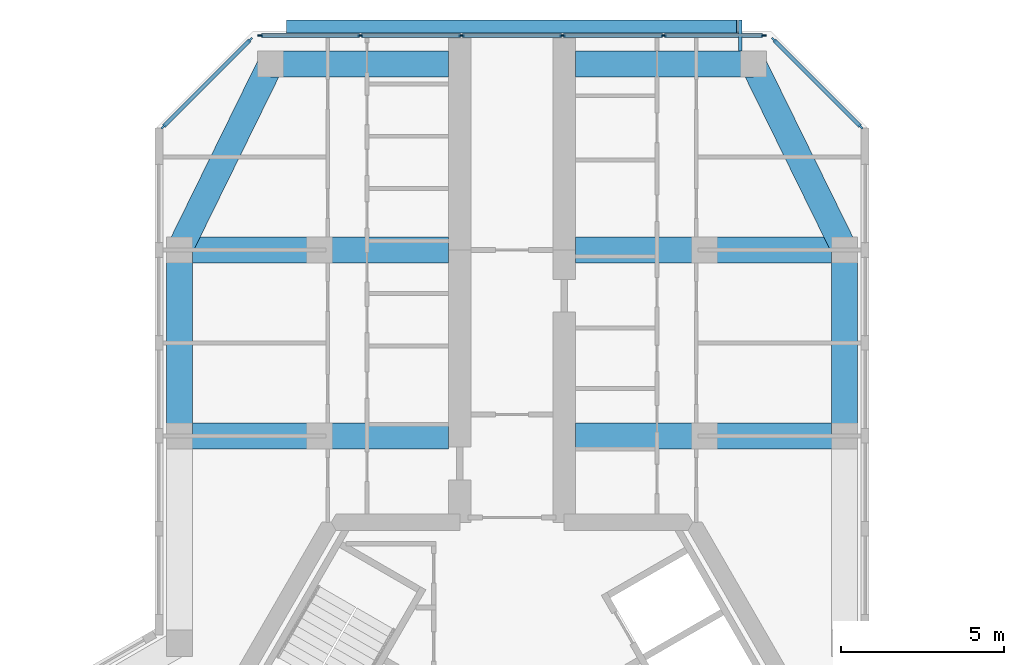
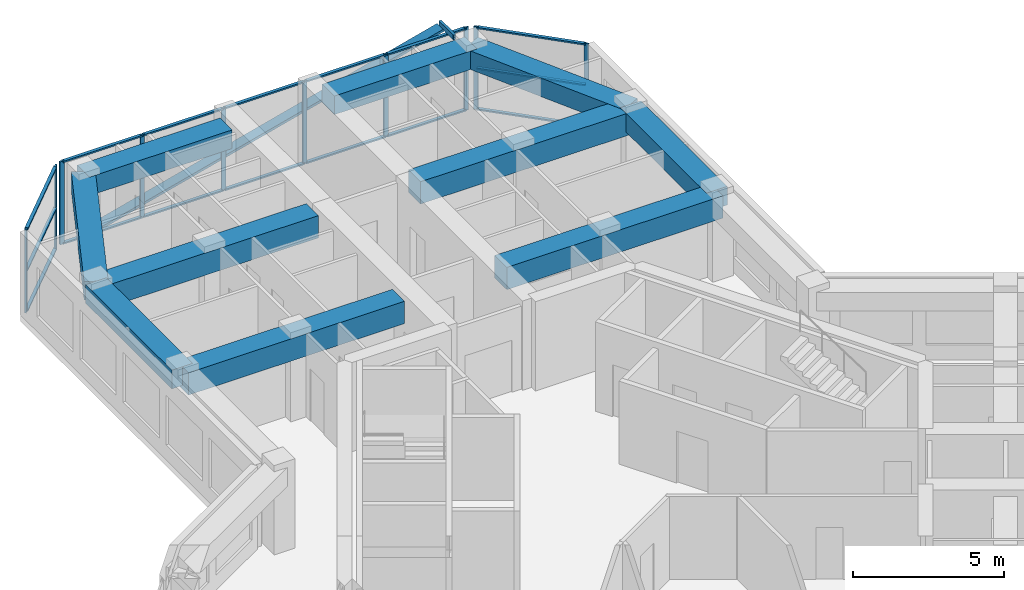
# One storey, part 5 of 14: 28 members, 10 beams, 3 elements without a shape of their own.
"""IFC4 building model written with IfcOpenShell, lengths in metres."""

from ifc_helpers import new_model, si_unit, direction, frame, origin, origin_2d, place, context, subcontext, project, spatial, rectangle, hollow_rectangle, extrude, material, material_profile, profile_set, type_object, element, aggregate, save


model = new_model("IFC4")

# Units and contexts
model_context = context("Model", 3, precision=1e-05, world=origin(), true_north=direction((0.0, 1.0)))
body_context = subcontext(model_context, "Body", "Model", "MODEL_VIEW")
ifc_project = project(units=[si_unit("LENGTHUNIT", "METRE"), si_unit("AREAUNIT", "SQUARE_METRE"), si_unit("VOLUMEUNIT", "CUBIC_METRE"), si_unit("PLANEANGLEUNIT", "RADIAN"), si_unit("MASSUNIT", "GRAM", prefix="KILO")], contexts=[model_context])

# Site, building, storey
site_placement = place(None, origin())
site = spatial("IfcSite", under=ifc_project, at=site_placement, CompositionType="ELEMENT")
building_placement = place(site_placement, origin())
building = spatial("IfcBuilding", under=site, at=building_placement, Name="Kosmar Iwan School Tower", CompositionType="ELEMENT")
storey_placement = place(building_placement, frame((0.0, 0.0, 289.0)))
storey = spatial("IfcBuildingStorey", under=building, at=storey_placement, Name="L73", CompositionType="ELEMENT", Elevation=289.0)

# Members
ifc_material_1 = material(Name="Black anodised aluminium", Category="aluminium")
ifc_material_profile_1 = material_profile(ifc_material_1, rectangle(XDim=0.10009765625, YDim=0.39990234375, at=origin_2d()), Name="FIN 100x400")
ifc_profile_set_1 = profile_set([ifc_material_profile_1], Name="Black anodised aluminium")
member_type_1 = type_object("IfcMemberType", Name="Diagonal fin 100x400", PredefinedType="USERDEFINED", material=ifc_profile_set_1)
member_1_placement = place(storey_placement, frame((-6.898193359375, 24.800048828125, -0.14990234375), z_axis=(0.967603633438, 0.0, 0.252474174041), x_axis=(-0.252474174041, 0.0, 0.967603633438)))
element("IfcMember", 1, at=member_1_placement, inside=storey, type_object=member_type_1, Name="Diagonal fin L73-F08", ObjectType="FIN", PredefinedType="USERDEFINED", context=body_context, shape_type="SweptSolid", body=[
    extrude(rectangle(XDim=0.10009765625, YDim=0.39990234375, at=origin_2d()), origin(), (0.0, 0.0, 1.0), 14.25830078125),
])
ifc_material_2 = material(Name="Steel S355", Category="steel")
ifc_material_profile_2 = material_profile(ifc_material_2, hollow_rectangle(XDim=0.10009765625, YDim=0.199951171875, WallThickness=0.008056640625, at=origin_2d()), Name="RHS 200x100x8")
ifc_profile_set_2 = profile_set([ifc_material_profile_2], Name="Steel S355")
member_type_2 = type_object("IfcMemberType", Name="Fin bracket RHS 200x100", PredefinedType="USERDEFINED", material=ifc_profile_set_2)
member_2_placement = place(storey_placement, frame((7.0, 24.050048828125, 3.47509765625), z_axis=(0.0, 1.0, 0.0), x_axis=(-1.0, 0.0, 0.0)))
element("IfcMember", 2, at=member_2_placement, inside=storey, type_object=member_type_2, Name="Fin bracket L74", ObjectType="FIN BRACKET", PredefinedType="USERDEFINED", context=body_context, shape_type="SweptSolid", body=[
    extrude(hollow_rectangle(XDim=0.10009765625, YDim=0.199951171875, WallThickness=0.008056640625, at=origin_2d()), origin(), (0.0, 0.0, 1.0), 0.949951171875),
])

# Curtain wall, members
ifc_material_3 = material(Name="Dark glass in black aluminium frame", Category="aluminium")
curtain_wall_type_1 = type_object("IfcCurtainWallType", Name="Chamfer curtain wall dark glass", PredefinedType="USERDEFINED", material=ifc_material_3)
curtain_wall_1_placement = place(storey_placement, origin())
curtain_wall_1 = element("IfcCurtainWall", 3, at=curtain_wall_1_placement, inside=storey, type_object=curtain_wall_type_1, Name="Curtain wall L73-F07", ObjectType="FACETED CURTAIN WALL", PredefinedType="USERDEFINED")
ifc_material_4 = material(Name="Black anodised aluminium", Category="aluminium")
ifc_material_profile_3 = material_profile(ifc_material_4, rectangle(XDim=0.06005859375, YDim=0.159912109375, at=origin_2d()), Name="MULLION 60x160")
ifc_profile_set_3 = profile_set([ifc_material_profile_3], Name="Black anodised aluminium")
member_type_3 = type_object("IfcMemberType", Name="Mullion 60x160", PredefinedType="MULLION", material=ifc_profile_set_3)
member_3_placement = place(storey_placement, frame((10.69775390625, 21.7255859375, 0.0), z_axis=(0.0, 0.0, 1.0), x_axis=(-0.707106781187, -0.707106781187, 0.0)))
member_3 = element("IfcMember", 4, at=member_3_placement, type_object=member_type_3, Name="CW2 mullion 1", PredefinedType="MULLION", context=body_context, shape_type="SweptSolid", body=[
    extrude(rectangle(XDim=0.06005859375, YDim=0.159912109375, at=origin_2d()), origin(), (0.0, 0.0, 1.0), 3.35009765625),
])
member_4_placement = place(storey_placement, frame((8.025390625, 24.397705078125, 0.0), z_axis=(0.0, 0.0, 1.0), x_axis=(-0.707106781187, -0.707106781187, 0.0)))
member_4 = element("IfcMember", 5, at=member_4_placement, type_object=member_type_3, Name="CW2 mullion 2", PredefinedType="MULLION", context=body_context, shape_type="SweptSolid", body=[
    extrude(rectangle(XDim=0.06005859375, YDim=0.159912109375, at=origin_2d()), origin(), (0.0, 0.0, 1.0), 3.35009765625),
])

ifc_material_5 = material(Name="Dark glass in black aluminium frame", Category="aluminium")
curtain_wall_type_2 = type_object("IfcCurtainWallType", Name="Tower curtain wall dark glass", PredefinedType="USERDEFINED", material=ifc_material_5)
curtain_wall_2_placement = place(storey_placement, origin())
curtain_wall_2 = element("IfcCurtainWall", 6, at=curtain_wall_2_placement, inside=storey, type_object=curtain_wall_type_2, Name="Curtain wall L73-F08", ObjectType="UNITISED CURTAIN WALL", PredefinedType="USERDEFINED")
member_5_placement = place(storey_placement, frame((7.71826171875, 24.52490234375, 0.0), z_axis=(0.0, 0.0, 1.0), x_axis=(0.0, -1.0, 0.0)))
member_5 = element("IfcMember", 7, at=member_5_placement, type_object=member_type_3, Name="CW1 mullion 1", PredefinedType="MULLION", context=body_context, shape_type="SweptSolid", body=[
    extrude(rectangle(XDim=0.06005859375, YDim=0.159912109375, at=origin_2d()), origin(), (0.0, 0.0, 1.0), 3.35009765625),
])
member_6_placement = place(storey_placement, frame((4.64892578125, 24.52490234375, 0.0), z_axis=(0.0, 0.0, 1.0), x_axis=(0.0, -1.0, 0.0)))
member_6 = element("IfcMember", 8, at=member_6_placement, type_object=member_type_3, Name="CW1 mullion 2", PredefinedType="MULLION", context=body_context, shape_type="SweptSolid", body=[
    extrude(rectangle(XDim=0.06005859375, YDim=0.159912109375, at=origin_2d()), origin(), (0.0, 0.0, 1.0), 3.35009765625),
])
member_7_placement = place(storey_placement, frame((1.549560546875, 24.52490234375, 0.0), z_axis=(0.0, 0.0, 1.0), x_axis=(0.0, -1.0, 0.0)))
member_7 = element("IfcMember", 9, at=member_7_placement, type_object=member_type_3, Name="CW1 mullion 3", PredefinedType="MULLION", context=body_context, shape_type="SweptSolid", body=[
    extrude(rectangle(XDim=0.06005859375, YDim=0.159912109375, at=origin_2d()), origin(), (0.0, 0.0, 1.0), 3.35009765625),
])
member_8_placement = place(storey_placement, frame((-1.549560546875, 24.52490234375, 0.0), z_axis=(0.0, 0.0, 1.0), x_axis=(0.0, -1.0, 0.0)))
member_8 = element("IfcMember", 10, at=member_8_placement, type_object=member_type_3, Name="CW1 mullion 4", PredefinedType="MULLION", context=body_context, shape_type="SweptSolid", body=[
    extrude(rectangle(XDim=0.06005859375, YDim=0.159912109375, at=origin_2d()), origin(), (0.0, 0.0, 1.0), 3.35009765625),
])
member_9_placement = place(storey_placement, frame((-4.64892578125, 24.52490234375, 0.0), z_axis=(0.0, 0.0, 1.0), x_axis=(0.0, -1.0, 0.0)))
member_9 = element("IfcMember", 11, at=member_9_placement, type_object=member_type_3, Name="CW1 mullion 5", PredefinedType="MULLION", context=body_context, shape_type="SweptSolid", body=[
    extrude(rectangle(XDim=0.06005859375, YDim=0.159912109375, at=origin_2d()), origin(), (0.0, 0.0, 1.0), 3.35009765625),
])
member_10_placement = place(storey_placement, frame((-7.71826171875, 24.52490234375, 0.0), z_axis=(0.0, 0.0, 1.0), x_axis=(0.0, -1.0, 0.0)))
member_10 = element("IfcMember", 12, at=member_10_placement, type_object=member_type_3, Name="CW1 mullion 6", PredefinedType="MULLION", context=body_context, shape_type="SweptSolid", body=[
    extrude(rectangle(XDim=0.06005859375, YDim=0.159912109375, at=origin_2d()), origin(), (0.0, 0.0, 1.0), 3.35009765625),
])

curtain_wall_3_placement = place(storey_placement, origin())
curtain_wall_3 = element("IfcCurtainWall", 13, at=curtain_wall_3_placement, inside=storey, type_object=curtain_wall_type_1, Name="Curtain wall L73-F09", ObjectType="FACETED CURTAIN WALL", PredefinedType="USERDEFINED")
member_11_placement = place(storey_placement, frame((-8.025390625, 24.397705078125, 0.0), z_axis=(0.0, 0.0, 1.0), x_axis=(0.707106781187, -0.707106781187, 0.0)))
member_11 = element("IfcMember", 14, at=member_11_placement, type_object=member_type_3, Name="CW2 mullion 1", PredefinedType="MULLION", context=body_context, shape_type="SweptSolid", body=[
    extrude(rectangle(XDim=0.06005859375, YDim=0.159912109375, at=origin_2d()), origin(), (0.0, 0.0, 1.0), 3.35009765625),
])
member_12_placement = place(storey_placement, frame((-10.69775390625, 21.7255859375, 0.0), z_axis=(0.0, 0.0, 1.0), x_axis=(0.707106781187, -0.707106781187, 0.0)))
member_12 = element("IfcMember", 15, at=member_12_placement, type_object=member_type_3, Name="CW2 mullion 2", PredefinedType="MULLION", context=body_context, shape_type="SweptSolid", body=[
    extrude(rectangle(XDim=0.06005859375, YDim=0.159912109375, at=origin_2d()), origin(), (0.0, 0.0, 1.0), 3.35009765625),
])

# Beams
ifc_material_6 = material(Name="Concrete C50/60", Category="concrete")
ifc_material_profile_4 = material_profile(ifc_material_6, rectangle(XDim=0.800048828125, YDim=0.75, at=origin_2d()), Name="RC 800x750")
ifc_profile_set_4 = profile_set([ifc_material_profile_4], Name="Concrete C50/60")
beam_type_1 = type_object("IfcBeamType", Name="RC edge beam 800x750", PredefinedType="BEAM", material=ifc_profile_set_4)
for number, where, z_axis, x_axis, name in (
    (16, (-10.199951171875, 12.25, 2.97509765625), (0.0, 1.0, 0.0), (-1.0, 0.0, 0.0), "Edge beam AL2"),
    (17, (10.199951171875, 12.25, 2.97509765625), (0.0, 1.0, 0.0), (-1.0, 0.0, 0.0), "Edge beam AR2"),
):
    element("IfcBeam", number, at=place(storey_placement, frame(where, z_axis=z_axis, x_axis=x_axis)), inside=storey, type_object=beam_type_1, Name=name, PredefinedType="BEAM", context=body_context, shape_type="SweptSolid", body=[
        extrude(rectangle(XDim=0.800048828125, YDim=0.75, at=origin_2d()), origin(), (0.0, 0.0, 1.0), 5.699951171875),
    ])
ifc_material_7 = material(Name="Concrete C50/60", Category="concrete")
ifc_material_profile_5 = material_profile(ifc_material_7, rectangle(XDim=0.800048828125, YDim=0.75, at=origin_2d()), Name="RC 800x750")
ifc_profile_set_5 = profile_set([ifc_material_profile_5], Name="Concrete C50/60")
beam_type_2 = type_object("IfcBeamType", Name="RC tip beam 800x750", PredefinedType="BEAM", material=ifc_profile_set_5)
beam_1_placement = place(storey_placement, frame((-10.199951171875, 17.949951171875, 2.97509765625), z_axis=(0.440913116462, 0.897549788999, 0.0), x_axis=(-0.897549788999, 0.440913116462, 0.0)))
element("IfcBeam", 18, at=beam_1_placement, inside=storey, type_object=beam_type_2, Name="Tip beam AL", PredefinedType="BEAM", context=body_context, shape_type="SweptSolid", body=[
    extrude(rectangle(XDim=0.800048828125, YDim=0.75, at=origin_2d()), origin(), (0.0, 0.0, 1.0), 6.3505859375),
])
beam_2_placement = place(storey_placement, frame((-7.39990234375, 23.64990234375, 2.97509765625), z_axis=(1.0, 0.0, 0.0), x_axis=(0.0, 1.0, 0.0)))
element("IfcBeam", 19, at=beam_2_placement, inside=storey, type_object=beam_type_2, Name="Tip beam AL to corridor wall", PredefinedType="BEAM", context=body_context, shape_type="SweptSolid", body=[
    extrude(rectangle(XDim=0.800048828125, YDim=0.75, at=origin_2d()), origin(), (0.0, 0.0, 1.0), 5.449951171875),
])
beam_3_placement = place(storey_placement, frame((10.199951171875, 17.949951171875, 2.97509765625), z_axis=(-0.440913116462, 0.897549788999, 0.0), x_axis=(-0.897549788999, -0.440913116462, 0.0)))
element("IfcBeam", 20, at=beam_3_placement, inside=storey, type_object=beam_type_2, Name="Tip beam AR", PredefinedType="BEAM", context=body_context, shape_type="SweptSolid", body=[
    extrude(rectangle(XDim=0.800048828125, YDim=0.75, at=origin_2d()), origin(), (0.0, 0.0, 1.0), 6.3505859375),
])
beam_4_placement = place(storey_placement, frame((7.39990234375, 23.64990234375, 2.97509765625), z_axis=(-1.0, 0.0, 0.0), x_axis=(0.0, -1.0, 0.0)))
element("IfcBeam", 21, at=beam_4_placement, inside=storey, type_object=beam_type_2, Name="Tip beam AR to corridor wall", PredefinedType="BEAM", context=body_context, shape_type="SweptSolid", body=[
    extrude(rectangle(XDim=0.800048828125, YDim=0.75, at=origin_2d()), origin(), (0.0, 0.0, 1.0), 5.449951171875),
])
ifc_material_8 = material(Name="Concrete C50/60", Category="concrete")
ifc_material_profile_6 = material_profile(ifc_material_8, rectangle(XDim=0.800048828125, YDim=0.89990234375, at=origin_2d()), Name="RC 800x900")
ifc_profile_set_6 = profile_set([ifc_material_profile_6], Name="Concrete C50/60")
beam_type_3 = type_object("IfcBeamType", Name="RC transverse beam 800x900", PredefinedType="BEAM", material=ifc_profile_set_6)
for number, where, z_axis, x_axis, name in (
    (22, (-10.199951171875, 12.25, 2.89990234375), (1.0, 0.0, 0.0), (0.0, 1.0, 0.0), "Transverse beam AL1"),
    (23, (-10.199951171875, 17.949951171875, 2.89990234375), (1.0, 0.0, 0.0), (0.0, 1.0, 0.0), "Transverse beam AL2"),
    (24, (10.199951171875, 12.25, 2.89990234375), (-1.0, 0.0, 0.0), (0.0, -1.0, 0.0), "Transverse beam AR1"),
    (25, (10.199951171875, 17.949951171875, 2.89990234375), (-1.0, 0.0, 0.0), (0.0, -1.0, 0.0), "Transverse beam AR2"),
):
    element("IfcBeam", number, at=place(storey_placement, frame(where, z_axis=z_axis, x_axis=x_axis)), inside=storey, type_object=beam_type_3, Name=name, PredefinedType="BEAM", context=body_context, shape_type="SweptSolid", body=[
        extrude(rectangle(XDim=0.800048828125, YDim=0.89990234375, at=origin_2d()), origin(), (0.0, 0.0, 1.0), 8.25),
    ])

# Member
ifc_material_9 = material(Name="Black anodised aluminium", Category="aluminium")
ifc_material_profile_7 = material_profile(ifc_material_9, rectangle(XDim=0.1201171875, YDim=0.06005859375, at=origin_2d()), Name="TRANSOM 60x120")
ifc_profile_set_7 = profile_set([ifc_material_profile_7], Name="Black anodised aluminium")
member_type_4 = type_object("IfcMemberType", Name="Transom 60x120", PredefinedType="USERDEFINED", material=ifc_profile_set_7)
member_13_placement = place(storey_placement, frame((10.676513671875, 21.746826171875, 0.030029296875), z_axis=(-0.707139603466, 0.707073957383, 0.0), x_axis=(-0.707073957383, -0.707139603466, 0.0)))
member_13 = element("IfcMember", 26, at=member_13_placement, type_object=member_type_4, Name="CW2 transom 1.1", ObjectType="TRANSOM", PredefinedType="USERDEFINED", context=body_context, shape_type="SweptSolid", body=[
    extrude(rectangle(XDim=0.1201171875, YDim=0.06005859375, at=origin_2d()), origin(), (0.0, 0.0, 1.0), 3.718994140625),
])

member_14_placement = place(storey_placement, frame((10.676513671875, 21.746826171875, 1.675048828125), z_axis=(-0.707139603466, 0.707073957383, 0.0), x_axis=(-0.707073957383, -0.707139603466, 0.0)))
member_14 = element("IfcMember", 27, at=member_14_placement, type_object=member_type_4, Name="CW2 transom 1.2", ObjectType="TRANSOM", PredefinedType="USERDEFINED", context=body_context, shape_type="SweptSolid", body=[
    extrude(rectangle(XDim=0.1201171875, YDim=0.06005859375, at=origin_2d()), origin(), (0.0, 0.0, 1.0), 3.718994140625),
])

member_15_placement = place(storey_placement, frame((10.676513671875, 21.746826171875, 3.320068359375), z_axis=(-0.707139603466, 0.707073957383, 0.0), x_axis=(-0.707073957383, -0.707139603466, 0.0)))
member_15 = element("IfcMember", 28, at=member_15_placement, type_object=member_type_4, Name="CW2 transom 1.3", ObjectType="TRANSOM", PredefinedType="USERDEFINED", context=body_context, shape_type="SweptSolid", body=[
    extrude(rectangle(XDim=0.1201171875, YDim=0.06005859375, at=origin_2d()), origin(), (0.0, 0.0, 1.0), 3.718994140625),
])

aggregate(curtain_wall_1, [member_3, member_4, member_13, member_14, member_15])

member_16_placement = place(storey_placement, frame((7.688232421875, 24.52490234375, 0.030029296875), z_axis=(-1.0, 0.0, 0.0), x_axis=(0.0, -1.0, 0.0)))
member_16 = element("IfcMember", 29, at=member_16_placement, type_object=member_type_4, Name="CW1 transom 1.1", ObjectType="TRANSOM", PredefinedType="USERDEFINED", context=body_context, shape_type="SweptSolid", body=[
    extrude(rectangle(XDim=0.1201171875, YDim=0.06005859375, at=origin_2d()), origin(), (0.0, 0.0, 1.0), 3.00927734375),
])

member_17_placement = place(storey_placement, frame((7.688232421875, 24.52490234375, 3.320068359375), z_axis=(-1.0, 0.0, 0.0), x_axis=(0.0, -1.0, 0.0)))
member_17 = element("IfcMember", 30, at=member_17_placement, type_object=member_type_4, Name="CW1 transom 1.2", ObjectType="TRANSOM", PredefinedType="USERDEFINED", context=body_context, shape_type="SweptSolid", body=[
    extrude(rectangle(XDim=0.1201171875, YDim=0.06005859375, at=origin_2d()), origin(), (0.0, 0.0, 1.0), 3.00927734375),
])

member_18_placement = place(storey_placement, frame((4.618896484375, 24.52490234375, 0.030029296875), z_axis=(-1.0, 0.0, 0.0), x_axis=(0.0, -1.0, 0.0)))
member_18 = element("IfcMember", 31, at=member_18_placement, type_object=member_type_4, Name="CW1 transom 2.1", ObjectType="TRANSOM", PredefinedType="USERDEFINED", context=body_context, shape_type="SweptSolid", body=[
    extrude(rectangle(XDim=0.1201171875, YDim=0.06005859375, at=origin_2d()), origin(), (0.0, 0.0, 1.0), 3.039306640625),
])

member_19_placement = place(storey_placement, frame((4.618896484375, 24.52490234375, 3.320068359375), z_axis=(-1.0, 0.0, 0.0), x_axis=(0.0, -1.0, 0.0)))
member_19 = element("IfcMember", 32, at=member_19_placement, type_object=member_type_4, Name="CW1 transom 2.2", ObjectType="TRANSOM", PredefinedType="USERDEFINED", context=body_context, shape_type="SweptSolid", body=[
    extrude(rectangle(XDim=0.1201171875, YDim=0.06005859375, at=origin_2d()), origin(), (0.0, 0.0, 1.0), 3.039306640625),
])

member_20_placement = place(storey_placement, frame((1.51953125, 24.52490234375, 0.030029296875), z_axis=(-1.0, 0.0, 0.0), x_axis=(0.0, -1.0, 0.0)))
member_20 = element("IfcMember", 33, at=member_20_placement, type_object=member_type_4, Name="CW1 transom 3.1", ObjectType="TRANSOM", PredefinedType="USERDEFINED", context=body_context, shape_type="SweptSolid", body=[
    extrude(rectangle(XDim=0.1201171875, YDim=0.06005859375, at=origin_2d()), origin(), (0.0, 0.0, 1.0), 3.0390625),
])

member_21_placement = place(storey_placement, frame((1.51953125, 24.52490234375, 3.320068359375), z_axis=(-1.0, 0.0, 0.0), x_axis=(0.0, -1.0, 0.0)))
member_21 = element("IfcMember", 34, at=member_21_placement, type_object=member_type_4, Name="CW1 transom 3.2", ObjectType="TRANSOM", PredefinedType="USERDEFINED", context=body_context, shape_type="SweptSolid", body=[
    extrude(rectangle(XDim=0.1201171875, YDim=0.06005859375, at=origin_2d()), origin(), (0.0, 0.0, 1.0), 3.0390625),
])

member_22_placement = place(storey_placement, frame((-1.57958984375, 24.52490234375, 0.030029296875), z_axis=(-1.0, 0.0, 0.0), x_axis=(0.0, -1.0, 0.0)))
member_22 = element("IfcMember", 35, at=member_22_placement, type_object=member_type_4, Name="CW1 transom 4.1", ObjectType="TRANSOM", PredefinedType="USERDEFINED", context=body_context, shape_type="SweptSolid", body=[
    extrude(rectangle(XDim=0.1201171875, YDim=0.06005859375, at=origin_2d()), origin(), (0.0, 0.0, 1.0), 3.039306640625),
])

member_23_placement = place(storey_placement, frame((-1.57958984375, 24.52490234375, 3.320068359375), z_axis=(-1.0, 0.0, 0.0), x_axis=(0.0, -1.0, 0.0)))
member_23 = element("IfcMember", 36, at=member_23_placement, type_object=member_type_4, Name="CW1 transom 4.2", ObjectType="TRANSOM", PredefinedType="USERDEFINED", context=body_context, shape_type="SweptSolid", body=[
    extrude(rectangle(XDim=0.1201171875, YDim=0.06005859375, at=origin_2d()), origin(), (0.0, 0.0, 1.0), 3.039306640625),
])

member_24_placement = place(storey_placement, frame((-4.678955078125, 24.52490234375, 0.030029296875), z_axis=(-1.0, 0.0, 0.0), x_axis=(0.0, -1.0, 0.0)))
member_24 = element("IfcMember", 37, at=member_24_placement, type_object=member_type_4, Name="CW1 transom 5.1", ObjectType="TRANSOM", PredefinedType="USERDEFINED", context=body_context, shape_type="SweptSolid", body=[
    extrude(rectangle(XDim=0.1201171875, YDim=0.06005859375, at=origin_2d()), origin(), (0.0, 0.0, 1.0), 3.00927734375),
])

member_25_placement = place(storey_placement, frame((-4.678955078125, 24.52490234375, 3.320068359375), z_axis=(-1.0, 0.0, 0.0), x_axis=(0.0, -1.0, 0.0)))
member_25 = element("IfcMember", 38, at=member_25_placement, type_object=member_type_4, Name="CW1 transom 5.2", ObjectType="TRANSOM", PredefinedType="USERDEFINED", context=body_context, shape_type="SweptSolid", body=[
    extrude(rectangle(XDim=0.1201171875, YDim=0.06005859375, at=origin_2d()), origin(), (0.0, 0.0, 1.0), 3.00927734375),
])

aggregate(curtain_wall_2, [member_5, member_6, member_7, member_8, member_9, member_10, member_16, member_17, member_18, member_19, member_20, member_21, member_22, member_23, member_24, member_25])

member_26_placement = place(storey_placement, frame((-8.046630859375, 24.37646484375, 0.030029296875), z_axis=(-0.707139603466, -0.707073957383, 0.0), x_axis=(0.707073957383, -0.707139603466, 0.0)))
member_26 = element("IfcMember", 39, at=member_26_placement, type_object=member_type_4, Name="CW2 transom 1.1", ObjectType="TRANSOM", PredefinedType="USERDEFINED", context=body_context, shape_type="SweptSolid", body=[
    extrude(rectangle(XDim=0.1201171875, YDim=0.06005859375, at=origin_2d()), origin(), (0.0, 0.0, 1.0), 3.718994140625),
])

member_27_placement = place(storey_placement, frame((-8.046630859375, 24.37646484375, 1.675048828125), z_axis=(-0.707139603466, -0.707073957383, 0.0), x_axis=(0.707073957383, -0.707139603466, 0.0)))
member_27 = element("IfcMember", 40, at=member_27_placement, type_object=member_type_4, Name="CW2 transom 1.2", ObjectType="TRANSOM", PredefinedType="USERDEFINED", context=body_context, shape_type="SweptSolid", body=[
    extrude(rectangle(XDim=0.1201171875, YDim=0.06005859375, at=origin_2d()), origin(), (0.0, 0.0, 1.0), 3.718994140625),
])

member_28_placement = place(storey_placement, frame((-8.046630859375, 24.37646484375, 3.320068359375), z_axis=(-0.707139603466, -0.707073957383, 0.0), x_axis=(0.707073957383, -0.707139603466, 0.0)))
member_28 = element("IfcMember", 41, at=member_28_placement, type_object=member_type_4, Name="CW2 transom 1.3", ObjectType="TRANSOM", PredefinedType="USERDEFINED", context=body_context, shape_type="SweptSolid", body=[
    extrude(rectangle(XDim=0.1201171875, YDim=0.06005859375, at=origin_2d()), origin(), (0.0, 0.0, 1.0), 3.718994140625),
])

aggregate(curtain_wall_3, [member_11, member_12, member_26, member_27, member_28])

save(model, "model.ifc")
